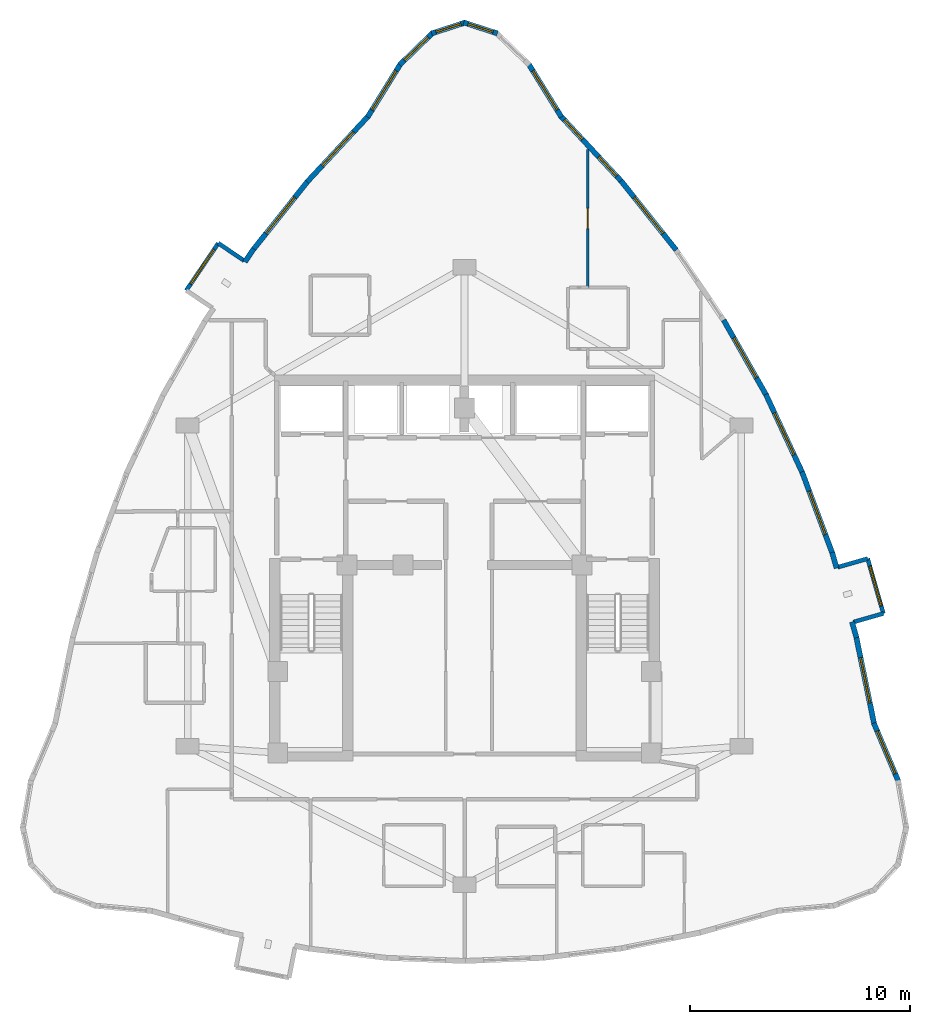
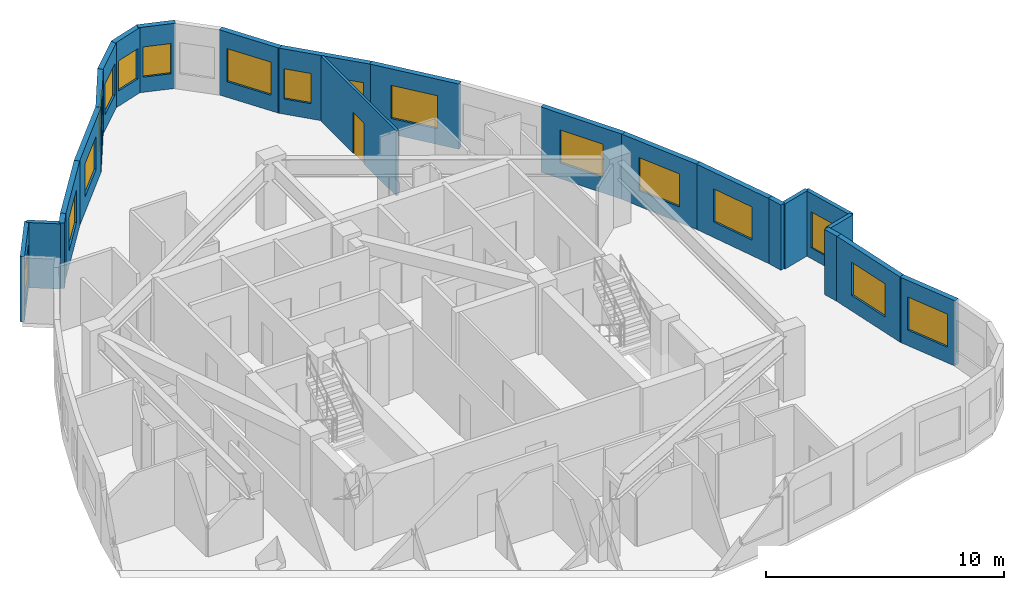
# One storey, part 11 of 13: 23 walls, 17 windows, 1 door, 18 openings.
"""IFC4 building model written with IfcOpenShell, lengths in metres."""

from ifc_helpers import new_model, si_unit, direction, frame, frame_2d, origin, place, context, subcontext, project, spatial, rectangle, extrude, material, layer, layer_set, type_object, element, fill, save


model = new_model("IFC4")

# Units and contexts
model_context = context("Model", 3, precision=1e-05, world=origin(), true_north=direction((0.0, 1.0)))
body_context = subcontext(model_context, "Body", "Model", "MODEL_VIEW")
ifc_project = project(units=[si_unit("LENGTHUNIT", "METRE"), si_unit("AREAUNIT", "SQUARE_METRE"), si_unit("VOLUMEUNIT", "CUBIC_METRE"), si_unit("PLANEANGLEUNIT", "RADIAN"), si_unit("MASSUNIT", "GRAM", prefix="KILO")], contexts=[model_context])

# Site, building, storey
site_placement = place(None, origin())
site = spatial("IfcSite", under=ifc_project, at=site_placement, CompositionType="ELEMENT")
building_placement = place(site_placement, origin())
building = spatial("IfcBuilding", under=site, at=building_placement, Name="Miruveldt Soraemaru", CompositionType="ELEMENT")
storey_placement = place(building_placement, frame((0.0, 0.0, 201.60009765625)))
storey = spatial("IfcBuildingStorey", under=building, at=storey_placement, Name="L55", CompositionType="ELEMENT", Elevation=201.60009765625)

# Wall
ifc_material_1 = material(Name="White powder-coated aluminium EN AW-6060 T6", Category="aluminium")
ifc_layer_1 = layer(ifc_material_1, 0.18994140625, Name="White powder-coated aluminium EN AW-6060 T6", Category="aluminium")
ifc_layer_set_1 = layer_set([ifc_layer_1], Name="White powder-coated aluminium EN AW-6060 T6")
wall_type_1 = type_object("IfcWallType", Name="WALL-BAY-ALU190", PredefinedType="SOLIDWALL", material=ifc_layer_set_1)
wall_1_placement = place(storey_placement, frame((33.971435546875, 57.900146484375, 0.0), z_axis=(0.0, 0.0, 1.0), x_axis=(-0.827916124573, 0.56085193293, 0.0)))
element("IfcWall", 1, at=wall_1_placement, inside=storey, type_object=wall_type_1, Name="L55 Bay Window Side Cheek 1L", PredefinedType="SOLIDWALL", context=body_context, shape_type="SweptSolid", body=[
    extrude(rectangle(XDim=1.42529296875, YDim=0.18994140625, at=frame_2d((0.712646484375, 0.0))), origin(), (0.0, 0.0, 1.0), 3.344970703125),
])

# Wall, opening, window
wall_2_placement = place(storey_placement, frame((32.79150390625, 58.699462890625, 0.0), z_axis=(0.0, 0.0, 1.0), x_axis=(-0.560839839126, -0.827924317102, 0.0)))
wall_2 = element("IfcWall", 2, at=wall_2_placement, inside=storey, type_object=wall_type_1, Name="L55 Bay Window Front Frame 1", PredefinedType="SOLIDWALL", context=body_context, shape_type="SweptSolid", body=[
    extrude(rectangle(XDim=2.599609375, YDim=0.18994140625, at=frame_2d((1.2998046875, 0.0))), origin(), (0.0, 0.0, 1.0), 3.344970703125),
])
opening_1_placement = place(wall_2_placement, frame((0.35009765625, 0.0, 0.550048828125)))
opening_1 = element("IfcOpeningElement", 3, at=opening_1_placement, cuts=wall_2, Name="Opening WN-6", PredefinedType="OPENING", context=body_context, shape_type="SweptSolid", body=[
    extrude(rectangle(XDim=1.89990234375, YDim=1.85009765625, at=frame_2d((0.949951171875, 0.925048828125))), frame((0.0, 0.10498046875, 0.0), z_axis=(0.0, -1.0, 0.0), x_axis=(1.0, 0.0, 0.0)), (0.0, 0.0, 1.0), 0.2099609375),
])
ifc_material_2 = material(Name="Triple low-e insulated glazing", Category="glass")
window_type_1 = type_object("IfcWindowType", Name="WIN-BAYW-1900x1850", PartitioningType="SINGLE_PANEL", PredefinedType="WINDOW", material=ifc_material_2)
window_1_placement = place(opening_1_placement, origin())
window_1 = element("IfcWindow", 4, at=window_1_placement, inside=storey, type_object=window_type_1, Name="L55 Projecting Bay Window 1", OverallHeight=1.85009765625, OverallWidth=1.89990234375, PartitioningType="SINGLE_PANEL", PredefinedType="WINDOW", context=body_context, shape_type="SweptSolid", body=[
    extrude(rectangle(XDim=1.89990234375, YDim=1.85009765625, at=frame_2d((0.949951171875, 0.925048828125))), frame((0.0, 0.030029296875, 0.0), z_axis=(0.0, -1.0, 0.0), x_axis=(1.0, 0.0, 0.0)), (0.0, 0.0, 1.0), 0.06005859375),
])
fill(opening_1, window_1)

# Walls
wall_3_placement = place(storey_placement, frame((61.69482421875, 41.451416015625, 0.0), z_axis=(0.0, 0.0, 1.0), x_axis=(0.961439844578, 0.275015318223, 0.0)))
element("IfcWall", 5, at=wall_3_placement, inside=storey, type_object=wall_type_1, Name="L55 Bay Window Side Cheek 3L", PredefinedType="SOLIDWALL", context=body_context, shape_type="SweptSolid", body=[
    extrude(rectangle(XDim=1.4248046875, YDim=0.18994140625, at=frame_2d((0.71240234375, 0.0))), origin(), (0.0, 0.0, 1.0), 3.344970703125),
])
wall_4_placement = place(storey_placement, frame((62.349853515625, 44.343017578125, 0.0), z_axis=(0.0, 0.0, 1.0), x_axis=(-0.961452801096, -0.274970018845, 0.0)))
element("IfcWall", 6, at=wall_4_placement, inside=storey, type_object=wall_type_1, Name="L55 Bay Window Side Cheek 3R", PredefinedType="SOLIDWALL", context=body_context, shape_type="SweptSolid", body=[
    extrude(rectangle(XDim=1.425048828125, YDim=0.18994140625, at=frame_2d((0.71240234375, 0.0))), origin(), (0.0, 0.0, 1.0), 3.344970703125),
])

# Wall, opening, window
wall_5_placement = place(storey_placement, frame((63.064697265625, 41.84326171875, 0.0), z_axis=(0.0, 0.0, 1.0), x_axis=(-0.274944358644, 0.961460139397, 0.0)))
wall_5 = element("IfcWall", 7, at=wall_5_placement, inside=storey, type_object=wall_type_1, Name="L55 Bay Window Front Frame 3", PredefinedType="SOLIDWALL", context=body_context, shape_type="SweptSolid", body=[
    extrude(rectangle(XDim=2.599853515625, YDim=0.18994140625, at=frame_2d((1.2998046875, 0.0))), origin(), (0.0, 0.0, 1.0), 3.344970703125),
])
opening_2_placement = place(wall_5_placement, frame((0.35009765625, 0.0, 0.550048828125)))
opening_2 = element("IfcOpeningElement", 8, at=opening_2_placement, cuts=wall_5, Name="Opening WN-6", PredefinedType="OPENING", context=body_context, shape_type="SweptSolid", body=[
    extrude(rectangle(XDim=1.89990234375, YDim=1.85009765625, at=frame_2d((0.949951171875, 0.925048828125))), frame((0.0, 0.10498046875, 0.0), z_axis=(0.0, -1.0, 0.0), x_axis=(1.0, 0.0, 0.0)), (0.0, 0.0, 1.0), 0.2099609375),
])
window_2_placement = place(opening_2_placement, origin())
window_2 = element("IfcWindow", 9, at=window_2_placement, inside=storey, type_object=window_type_1, Name="L55 Projecting Bay Window 3", OverallHeight=1.85009765625, OverallWidth=1.89990234375, PartitioningType="SINGLE_PANEL", PredefinedType="WINDOW", context=body_context, shape_type="SweptSolid", body=[
    extrude(rectangle(XDim=1.89990234375, YDim=1.85009765625, at=frame_2d((0.949951171875, 0.925048828125))), frame((0.0, 0.030029296875, 0.0), z_axis=(0.0, -1.0, 0.0), x_axis=(1.0, 0.0, 0.0)), (0.0, 0.0, 1.0), 0.06005859375),
])
fill(opening_2, window_2)

ifc_material_3 = material(Name="Precast concrete C45/55 (45 MPa)", Category="concrete")
ifc_layer_2 = layer(ifc_material_3, 0.239990234375, Name="Precast concrete C45/55 (45 MPa)", Category="concrete")
ifc_layer_set_2 = layer_set([ifc_layer_2], Name="Precast concrete C45/55 (45 MPa)")
wall_type_2 = type_object("IfcWallType", Name="WALL-EXT-PC240", PredefinedType="SOLIDWALL", material=ifc_layer_set_2)
wall_6_placement = place(storey_placement, frame((48.411376953125, 64.440185546875, 0.0), z_axis=(0.0, 0.0, 1.0), x_axis=(-0.526024676953, 0.850469305288, 0.0)))
wall_6 = element("IfcWall", 10, at=wall_6_placement, inside=storey, type_object=wall_type_2, Name="L55 Precast Concrete Facade Wall 1", PredefinedType="SOLIDWALL", context=body_context, shape_type="SweptSolid", body=[
    extrude(rectangle(XDim=2.853515625, YDim=0.239990234375, at=frame_2d((1.4267578125, 0.0))), origin(), (0.0, 0.0, 1.0), 3.344970703125),
])
opening_3_placement = place(wall_6_placement, frame((0.376953125, 0.0, 0.800048828125)))
opening_3 = element("IfcOpeningElement", 11, at=opening_3_placement, cuts=wall_6, Name="Opening WN-1", PredefinedType="OPENING", context=body_context, shape_type="SweptSolid", body=[
    extrude(rectangle(XDim=2.10009765625, YDim=1.699951171875, at=frame_2d((1.050048828125, 0.85009765625))), frame((0.0, 0.1298828125, 0.0), z_axis=(0.0, -1.0, 0.0), x_axis=(1.0, 0.0, 0.0)), (0.0, 0.0, 1.0), 0.260009765625),
])
window_type_2 = type_object("IfcWindowType", Name="WIN-PUNCH-2100x1700", PartitioningType="SINGLE_PANEL", PredefinedType="WINDOW", material=ifc_material_2)
window_3_placement = place(opening_3_placement, origin())
window_3 = element("IfcWindow", 12, at=window_3_placement, inside=storey, type_object=window_type_2, Name="L55 Punched Triple-Glazed Window 01.1", OverallHeight=1.699951171875, OverallWidth=2.10009765625, PartitioningType="SINGLE_PANEL", PredefinedType="WINDOW", context=body_context, shape_type="SweptSolid", body=[
    extrude(rectangle(XDim=2.10009765625, YDim=1.699951171875, at=frame_2d((1.050048828125, 0.85009765625))), frame((0.0, 0.030029296875, 0.0), z_axis=(0.0, -1.0, 0.0), x_axis=(1.0, 0.0, 0.0)), (0.0, 0.0, 1.0), 0.06005859375),
])
fill(opening_3, window_3)

wall_7_placement = place(storey_placement, frame((45.49755859375, 68.246826171875, 0.0), z_axis=(0.0, 0.0, 1.0), x_axis=(-0.951512470803, 0.307610171981, 0.0)))
wall_7 = element("IfcWall", 13, at=wall_7_placement, inside=storey, type_object=wall_type_2, Name="L55 Precast Concrete Facade Wall 3", PredefinedType="SOLIDWALL", context=body_context, shape_type="SweptSolid", body=[
    extrude(rectangle(XDim=1.60888671875, YDim=0.239990234375, at=frame_2d((0.804443359375, 0.0))), origin(), (0.0, 0.0, 1.0), 3.344970703125),
])
opening_4_placement = place(wall_7_placement, frame((0.205078125, 0.0, 0.780029296875)))
opening_4 = element("IfcOpeningElement", 14, at=opening_4_placement, cuts=wall_7, Name="Opening WN-4", PredefinedType="OPENING", context=body_context, shape_type="SweptSolid", body=[
    extrude(rectangle(XDim=1.199951171875, YDim=1.550048828125, at=frame_2d((0.60009765625, 0.77490234375))), frame((0.0, 0.1298828125, 0.0), z_axis=(0.0, -1.0, 0.0), x_axis=(1.0, 0.0, 0.0)), (0.0, 0.0, 1.0), 0.260009765625),
])
window_type_3 = type_object("IfcWindowType", Name="WIN-PUNCH-1200x1550", PartitioningType="SINGLE_PANEL", PredefinedType="WINDOW", material=ifc_material_2)
window_4_placement = place(opening_4_placement, origin())
window_4 = element("IfcWindow", 15, at=window_4_placement, inside=storey, type_object=window_type_3, Name="L55 Punched Triple-Glazed Window 03.1", OverallHeight=1.550048828125, OverallWidth=1.199951171875, PartitioningType="SINGLE_PANEL", PredefinedType="WINDOW", context=body_context, shape_type="SweptSolid", body=[
    extrude(rectangle(XDim=1.199951171875, YDim=1.550048828125, at=frame_2d((0.60009765625, 0.77490234375))), frame((0.0, 0.030029296875, 0.0), z_axis=(0.0, -1.0, 0.0), x_axis=(1.0, 0.0, 0.0)), (0.0, 0.0, 1.0), 0.06005859375),
])
fill(opening_4, window_4)

wall_8_placement = place(storey_placement, frame((44.033203125, 68.74169921875, 0.0), z_axis=(0.0, 0.0, 1.0), x_axis=(-0.951512470803, -0.307610171981, 0.0)))
wall_8 = element("IfcWall", 16, at=wall_8_placement, inside=storey, type_object=wall_type_2, Name="L55 Precast Concrete Facade Wall 4", PredefinedType="SOLIDWALL", context=body_context, shape_type="SweptSolid", body=[
    extrude(rectangle(XDim=1.60888671875, YDim=0.239990234375, at=frame_2d((0.804443359375, 0.0))), origin(), (0.0, 0.0, 1.0), 3.344970703125),
])
opening_5_placement = place(wall_8_placement, frame((0.205078125, 0.0, 0.780029296875)))
opening_5 = element("IfcOpeningElement", 17, at=opening_5_placement, cuts=wall_8, Name="Opening WN-4", PredefinedType="OPENING", context=body_context, shape_type="SweptSolid", body=[
    extrude(rectangle(XDim=1.199951171875, YDim=1.550048828125, at=frame_2d((0.60009765625, 0.77490234375))), frame((0.0, 0.1298828125, 0.0), z_axis=(0.0, -1.0, 0.0), x_axis=(1.0, 0.0, 0.0)), (0.0, 0.0, 1.0), 0.260009765625),
])
window_5_placement = place(opening_5_placement, origin())
window_5 = element("IfcWindow", 18, at=window_5_placement, inside=storey, type_object=window_type_3, Name="L55 Punched Triple-Glazed Window 04.1", OverallHeight=1.550048828125, OverallWidth=1.199951171875, PartitioningType="SINGLE_PANEL", PredefinedType="WINDOW", context=body_context, shape_type="SweptSolid", body=[
    extrude(rectangle(XDim=1.199951171875, YDim=1.550048828125, at=frame_2d((0.60009765625, 0.77490234375))), frame((0.0, 0.030029296875, 0.0), z_axis=(0.0, -1.0, 0.0), x_axis=(1.0, 0.0, 0.0)), (0.0, 0.0, 1.0), 0.06005859375),
])
fill(opening_5, window_5)

wall_9_placement = place(storey_placement, frame((42.560791015625, 68.281982421875, 0.0), z_axis=(0.0, 0.0, 1.0), x_axis=(-0.717784741211, -0.696265082626, 0.0)))
wall_9 = element("IfcWall", 19, at=wall_9_placement, inside=storey, type_object=wall_type_2, Name="L55 Precast Concrete Facade Wall 5", PredefinedType="SOLIDWALL", context=body_context, shape_type="SweptSolid", body=[
    extrude(rectangle(XDim=2.110107421875, YDim=0.239990234375, at=frame_2d((1.05517578125, 0.0))), origin(), (0.0, 0.0, 1.0), 3.344970703125),
])
opening_6_placement = place(wall_9_placement, frame((0.304931640625, 0.0, 0.800048828125)))
opening_6 = element("IfcOpeningElement", 20, at=opening_6_placement, cuts=wall_9, Name="Opening WN-3", PredefinedType="OPENING", context=body_context, shape_type="SweptSolid", body=[
    extrude(rectangle(XDim=1.5, YDim=1.60009765625, at=frame_2d((0.75, 0.800048828125))), frame((0.0, 0.1298828125, 0.0), z_axis=(0.0, -1.0, 0.0), x_axis=(1.0, 0.0, 0.0)), (0.0, 0.0, 1.0), 0.260009765625),
])
window_type_4 = type_object("IfcWindowType", Name="WIN-PUNCH-1500x1600", PartitioningType="SINGLE_PANEL", PredefinedType="WINDOW", material=ifc_material_2)
window_6_placement = place(opening_6_placement, origin())
window_6 = element("IfcWindow", 21, at=window_6_placement, inside=storey, type_object=window_type_4, Name="L55 Punched Triple-Glazed Window 05.1", OverallHeight=1.60009765625, OverallWidth=1.5, PartitioningType="SINGLE_PANEL", PredefinedType="WINDOW", context=body_context, shape_type="SweptSolid", body=[
    extrude(rectangle(XDim=1.5, YDim=1.60009765625, at=frame_2d((0.75, 0.800048828125))), frame((0.0, 0.030029296875, 0.0), z_axis=(0.0, -1.0, 0.0), x_axis=(1.0, 0.0, 0.0)), (0.0, 0.0, 1.0), 0.06005859375),
])
fill(opening_6, window_6)

wall_10_placement = place(storey_placement, frame((41.089599609375, 66.866943359375, 0.0), z_axis=(0.0, 0.0, 1.0), x_axis=(-0.526024676953, -0.850469305288, 0.0)))
wall_10 = element("IfcWall", 22, at=wall_10_placement, inside=storey, type_object=wall_type_2, Name="L55 Precast Concrete Facade Wall 6", PredefinedType="SOLIDWALL", context=body_context, shape_type="SweptSolid", body=[
    extrude(rectangle(XDim=2.853515625, YDim=0.239990234375, at=frame_2d((1.4267578125, 0.0))), origin(), (0.0, 0.0, 1.0), 3.344970703125),
])
opening_7_placement = place(wall_10_placement, frame((0.376953125, 0.0, 0.800048828125)))
opening_7 = element("IfcOpeningElement", 23, at=opening_7_placement, cuts=wall_10, Name="Opening WN-1", PredefinedType="OPENING", context=body_context, shape_type="SweptSolid", body=[
    extrude(rectangle(XDim=2.10009765625, YDim=1.699951171875, at=frame_2d((1.050048828125, 0.85009765625))), frame((0.0, 0.1298828125, 0.0), z_axis=(0.0, -1.0, 0.0), x_axis=(1.0, 0.0, 0.0)), (0.0, 0.0, 1.0), 0.260009765625),
])
window_7_placement = place(opening_7_placement, origin())
window_7 = element("IfcWindow", 24, at=window_7_placement, inside=storey, type_object=window_type_2, Name="L55 Punched Triple-Glazed Window 06.1", OverallHeight=1.699951171875, OverallWidth=2.10009765625, PartitioningType="SINGLE_PANEL", PredefinedType="WINDOW", context=body_context, shape_type="SweptSolid", body=[
    extrude(rectangle(XDim=2.10009765625, YDim=1.699951171875, at=frame_2d((1.050048828125, 0.85009765625))), frame((0.0, 0.030029296875, 0.0), z_axis=(0.0, -1.0, 0.0), x_axis=(1.0, 0.0, 0.0)), (0.0, 0.0, 1.0), 0.06005859375),
])
fill(opening_7, window_7)

wall_11_placement = place(storey_placement, frame((39.630859375, 64.49560546875, 0.0), z_axis=(0.0, 0.0, 1.0), x_axis=(-0.68089787868, -0.732378371341, 0.0)))
wall_11 = element("IfcWall", 25, at=wall_11_placement, inside=storey, type_object=wall_type_2, Name="L55 Precast Concrete Facade Wall 7", PredefinedType="SOLIDWALL", context=body_context, shape_type="SweptSolid", body=[
    extrude(rectangle(XDim=4.10693359375, YDim=0.239990234375, at=frame_2d((2.053466796875, 0.0))), origin(), (0.0, 0.0, 1.0), 3.344970703125),
])
opening_8_placement = place(wall_11_placement, frame((1.00390625, 0.0, 0.800048828125)))
opening_8 = element("IfcOpeningElement", 26, at=opening_8_placement, cuts=wall_11, Name="Opening WN-1", PredefinedType="OPENING", context=body_context, shape_type="SweptSolid", body=[
    extrude(rectangle(XDim=2.10009765625, YDim=1.699951171875, at=frame_2d((1.050048828125, 0.85009765625))), frame((0.0, 0.1298828125, 0.0), z_axis=(0.0, -1.0, 0.0), x_axis=(1.0, 0.0, 0.0)), (0.0, 0.0, 1.0), 0.260009765625),
])
window_8_placement = place(opening_8_placement, origin())
window_8 = element("IfcWindow", 27, at=window_8_placement, inside=storey, type_object=window_type_2, Name="L55 Punched Triple-Glazed Window 07.1", OverallHeight=1.699951171875, OverallWidth=2.10009765625, PartitioningType="SINGLE_PANEL", PredefinedType="WINDOW", context=body_context, shape_type="SweptSolid", body=[
    extrude(rectangle(XDim=2.10009765625, YDim=1.699951171875, at=frame_2d((1.050048828125, 0.85009765625))), frame((0.0, 0.030029296875, 0.0), z_axis=(0.0, -1.0, 0.0), x_axis=(1.0, 0.0, 0.0)), (0.0, 0.0, 1.0), 0.06005859375),
])
fill(opening_8, window_8)

wall_12_placement = place(storey_placement, frame((36.8798828125, 61.540771484375, 0.0), z_axis=(0.0, 0.0, 1.0), x_axis=(-0.623580098118, -0.781759465073, 0.0)))
wall_12 = element("IfcWall", 28, at=wall_12_placement, inside=storey, type_object=wall_type_2, Name="L55 Precast Concrete Facade Wall 8", PredefinedType="SOLIDWALL", context=body_context, shape_type="SweptSolid", body=[
    extrude(rectangle(XDim=4.03466796875, YDim=0.239990234375, at=frame_2d((2.017333984375, 0.0))), origin(), (0.0, 0.0, 1.0), 3.344970703125),
])
opening_9_placement = place(wall_12_placement, frame((0.968017578125, 0.0, 0.800048828125)))
opening_9 = element("IfcOpeningElement", 29, at=opening_9_placement, cuts=wall_12, Name="Opening WN-1", PredefinedType="OPENING", context=body_context, shape_type="SweptSolid", body=[
    extrude(rectangle(XDim=2.10009765625, YDim=1.699951171875, at=frame_2d((1.050048828125, 0.85009765625))), frame((0.0, 0.1298828125, 0.0), z_axis=(0.0, -1.0, 0.0), x_axis=(1.0, 0.0, 0.0)), (0.0, 0.0, 1.0), 0.260009765625),
])
window_9_placement = place(opening_9_placement, origin())
window_9 = element("IfcWindow", 30, at=window_9_placement, inside=storey, type_object=window_type_2, Name="L55 Punched Triple-Glazed Window 08.1", OverallHeight=1.699951171875, OverallWidth=2.10009765625, PartitioningType="SINGLE_PANEL", PredefinedType="WINDOW", context=body_context, shape_type="SweptSolid", body=[
    extrude(rectangle(XDim=2.10009765625, YDim=1.699951171875, at=frame_2d((1.050048828125, 0.85009765625))), frame((0.0, 0.030029296875, 0.0), z_axis=(0.0, -1.0, 0.0), x_axis=(1.0, 0.0, 0.0)), (0.0, 0.0, 1.0), 0.06005859375),
])
fill(opening_9, window_9)

# Wall
wall_13_placement = place(storey_placement, frame((34.405517578125, 58.443115234375, 0.0), z_axis=(0.0, 0.0, 1.0), x_axis=(-0.560840679223, -0.827923748016, 0.0)))
element("IfcWall", 31, at=wall_13_placement, inside=storey, type_object=wall_type_2, Name="L55 Precast Pier Wall 9A", PredefinedType="SOLIDWALL", context=body_context, shape_type="SweptSolid", body=[
    extrude(rectangle(XDim=0.72314453125, YDim=0.239990234375, at=frame_2d((0.361572265625, 0.0))), origin(), (0.0, 0.0, 1.0), 3.344970703125),
])

# Wall, opening, window
wall_14_placement = place(storey_placement, frame((63.755126953125, 34.18994140625, 0.0), z_axis=(0.0, 0.0, 1.0), x_axis=(-0.38865241966, 0.921384445654, 0.0)))
wall_14 = element("IfcWall", 32, at=wall_14_placement, inside=storey, type_object=wall_type_2, Name="L55 Precast Concrete Facade Wall 34", PredefinedType="SOLIDWALL", context=body_context, shape_type="SweptSolid", body=[
    extrude(rectangle(XDim=2.895751953125, YDim=0.239990234375, at=frame_2d((1.44775390625, 0.0))), origin(), (0.0, 0.0, 1.0), 3.344970703125),
])
opening_10_placement = place(wall_14_placement, frame((0.39794921875, 0.0, 0.800048828125)))
opening_10 = element("IfcOpeningElement", 33, at=opening_10_placement, cuts=wall_14, Name="Opening WN-1", PredefinedType="OPENING", context=body_context, shape_type="SweptSolid", body=[
    extrude(rectangle(XDim=2.10009765625, YDim=1.699951171875, at=frame_2d((1.050048828125, 0.85009765625))), frame((0.0, 0.1298828125, 0.0), z_axis=(0.0, -1.0, 0.0), x_axis=(1.0, 0.0, 0.0)), (0.0, 0.0, 1.0), 0.260009765625),
])
window_10_placement = place(opening_10_placement, origin())
window_10 = element("IfcWindow", 34, at=window_10_placement, inside=storey, type_object=window_type_2, Name="L55 Punched Triple-Glazed Window 34.1", OverallHeight=1.699951171875, OverallWidth=2.10009765625, PartitioningType="SINGLE_PANEL", PredefinedType="WINDOW", context=body_context, shape_type="SweptSolid", body=[
    extrude(rectangle(XDim=2.10009765625, YDim=1.699951171875, at=frame_2d((1.050048828125, 0.85009765625))), frame((0.0, 0.030029296875, 0.0), z_axis=(0.0, -1.0, 0.0), x_axis=(1.0, 0.0, 0.0)), (0.0, 0.0, 1.0), 0.06005859375),
])
fill(opening_10, window_10)

wall_15_placement = place(storey_placement, frame((62.650390625, 36.791748046875, 0.0), z_axis=(0.0, 0.0, 1.0), x_axis=(-0.2015657063, 0.979474995109, 0.0)))
wall_15 = element("IfcWall", 35, at=wall_15_placement, inside=storey, type_object=wall_type_2, Name="L55 Precast Concrete Facade Wall 35", PredefinedType="SOLIDWALL", context=body_context, shape_type="SweptSolid", body=[
    extrude(rectangle(XDim=4.107177734375, YDim=0.239990234375, at=frame_2d((2.0537109375, 0.0))), origin(), (0.0, 0.0, 1.0), 3.344970703125),
])
opening_11_placement = place(wall_15_placement, frame((1.00390625, 0.0, 0.800048828125)))
opening_11 = element("IfcOpeningElement", 36, at=opening_11_placement, cuts=wall_15, Name="Opening WN-1", PredefinedType="OPENING", context=body_context, shape_type="SweptSolid", body=[
    extrude(rectangle(XDim=2.10009765625, YDim=1.699951171875, at=frame_2d((1.050048828125, 0.85009765625))), frame((0.0, 0.1298828125, 0.0), z_axis=(0.0, -1.0, 0.0), x_axis=(1.0, 0.0, 0.0)), (0.0, 0.0, 1.0), 0.260009765625),
])
window_11_placement = place(opening_11_placement, origin())
window_11 = element("IfcWindow", 37, at=window_11_placement, inside=storey, type_object=window_type_2, Name="L55 Punched Triple-Glazed Window 35.1", OverallHeight=1.699951171875, OverallWidth=2.10009765625, PartitioningType="SINGLE_PANEL", PredefinedType="WINDOW", context=body_context, shape_type="SweptSolid", body=[
    extrude(rectangle(XDim=2.10009765625, YDim=1.699951171875, at=frame_2d((1.050048828125, 0.85009765625))), frame((0.0, 0.030029296875, 0.0), z_axis=(0.0, -1.0, 0.0), x_axis=(1.0, 0.0, 0.0)), (0.0, 0.0, 1.0), 0.06005859375),
])
fill(opening_11, window_11)

# Walls
for number, where, z_axis, x_axis, name in (
    (38, (61.839111328125, 40.74658203125, 0.0), (0.0, 0.0, 1.0), (-0.274764278182, 0.961511617941, 0.0), "L55 Precast Pier Wall 36A"),
    (39, (60.93505859375, 43.9072265625, 0.0), (0.0, 0.0, 1.0), (-0.274764278182, 0.961511617941, 0.0), "L55 Precast Pier Wall 36B"),
):
    element("IfcWall", number, at=place(storey_placement, frame(where, z_axis=z_axis, x_axis=x_axis)), inside=storey, type_object=wall_type_2, Name=name, PredefinedType="SOLIDWALL", context=body_context, shape_type="SweptSolid", body=[
        extrude(rectangle(XDim=0.747314453125, YDim=0.239990234375, at=frame_2d((0.37353515625, 0.0))), origin(), (0.0, 0.0, 1.0), 3.344970703125),
    ])

# Wall, opening, window
wall_16_placement = place(storey_placement, frame((60.75146484375, 44.55908203125, 0.0), z_axis=(0.0, 0.0, 1.0), x_axis=(-0.348967690972, 0.937134755869, 0.0)))
wall_16 = element("IfcWall", 40, at=wall_16_placement, inside=storey, type_object=wall_type_2, Name="L55 Precast Concrete Facade Wall 37", PredefinedType="SOLIDWALL", context=body_context, shape_type="SweptSolid", body=[
    extrude(rectangle(XDim=3.985595703125, YDim=0.239990234375, at=frame_2d((1.99267578125, 0.0))), origin(), (0.0, 0.0, 1.0), 3.344970703125),
])
opening_12_placement = place(wall_16_placement, frame((0.943115234375, 0.0, 0.800048828125)))
opening_12 = element("IfcOpeningElement", 41, at=opening_12_placement, cuts=wall_16, Name="Opening WN-1", PredefinedType="OPENING", context=body_context, shape_type="SweptSolid", body=[
    extrude(rectangle(XDim=2.10009765625, YDim=1.699951171875, at=frame_2d((1.050048828125, 0.85009765625))), frame((0.0, 0.1298828125, 0.0), z_axis=(0.0, -1.0, 0.0), x_axis=(1.0, 0.0, 0.0)), (0.0, 0.0, 1.0), 0.260009765625),
])
window_12_placement = place(opening_12_placement, origin())
window_12 = element("IfcWindow", 42, at=window_12_placement, inside=storey, type_object=window_type_2, Name="L55 Punched Triple-Glazed Window 37.1", OverallHeight=1.699951171875, OverallWidth=2.10009765625, PartitioningType="SINGLE_PANEL", PredefinedType="WINDOW", context=body_context, shape_type="SweptSolid", body=[
    extrude(rectangle(XDim=2.10009765625, YDim=1.699951171875, at=frame_2d((1.050048828125, 0.85009765625))), frame((0.0, 0.030029296875, 0.0), z_axis=(0.0, -1.0, 0.0), x_axis=(1.0, 0.0, 0.0)), (0.0, 0.0, 1.0), 0.06005859375),
])
fill(opening_12, window_12)

wall_17_placement = place(storey_placement, frame((59.387451171875, 48.2294921875, 0.0), z_axis=(0.0, 0.0, 1.0), x_axis=(-0.422311701836, 0.906450675157, 0.0)))
wall_17 = element("IfcWall", 43, at=wall_17_placement, inside=storey, type_object=wall_type_2, Name="L55 Precast Concrete Facade Wall 38", PredefinedType="SOLIDWALL", context=body_context, shape_type="SweptSolid", body=[
    extrude(rectangle(XDim=3.960693359375, YDim=0.239990234375, at=frame_2d((1.98046875, 0.0))), origin(), (0.0, 0.0, 1.0), 3.344970703125),
])
opening_13_placement = place(wall_17_placement, frame((0.930908203125, 0.0, 0.800048828125)))
opening_13 = element("IfcOpeningElement", 44, at=opening_13_placement, cuts=wall_17, Name="Opening WN-1", PredefinedType="OPENING", context=body_context, shape_type="SweptSolid", body=[
    extrude(rectangle(XDim=2.10009765625, YDim=1.699951171875, at=frame_2d((1.050048828125, 0.85009765625))), frame((0.0, 0.1298828125, 0.0), z_axis=(0.0, -1.0, 0.0), x_axis=(1.0, 0.0, 0.0)), (0.0, 0.0, 1.0), 0.260009765625),
])
window_13_placement = place(opening_13_placement, origin())
window_13 = element("IfcWindow", 45, at=window_13_placement, inside=storey, type_object=window_type_2, Name="L55 Punched Triple-Glazed Window 38.1", OverallHeight=1.699951171875, OverallWidth=2.10009765625, PartitioningType="SINGLE_PANEL", PredefinedType="WINDOW", context=body_context, shape_type="SweptSolid", body=[
    extrude(rectangle(XDim=2.10009765625, YDim=1.699951171875, at=frame_2d((1.050048828125, 0.85009765625))), frame((0.0, 0.030029296875, 0.0), z_axis=(0.0, -1.0, 0.0), x_axis=(1.0, 0.0, 0.0)), (0.0, 0.0, 1.0), 0.06005859375),
])
fill(opening_13, window_13)

wall_18_placement = place(storey_placement, frame((57.7470703125, 51.757568359375, 0.0), z_axis=(0.0, 0.0, 1.0), x_axis=(-0.493374910117, 0.869816761202, 0.0)))
wall_18 = element("IfcWall", 46, at=wall_18_placement, inside=storey, type_object=wall_type_2, Name="L55 Precast Concrete Facade Wall 39", PredefinedType="SOLIDWALL", context=body_context, shape_type="SweptSolid", body=[
    extrude(rectangle(XDim=3.960693359375, YDim=0.239990234375, at=frame_2d((1.98046875, 0.0))), origin(), (0.0, 0.0, 1.0), 3.344970703125),
])
opening_14_placement = place(wall_18_placement, frame((0.930908203125, 0.0, 0.800048828125)))
opening_14 = element("IfcOpeningElement", 47, at=opening_14_placement, cuts=wall_18, Name="Opening WN-1", PredefinedType="OPENING", context=body_context, shape_type="SweptSolid", body=[
    extrude(rectangle(XDim=2.10009765625, YDim=1.699951171875, at=frame_2d((1.050048828125, 0.85009765625))), frame((0.0, 0.1298828125, 0.0), z_axis=(0.0, -1.0, 0.0), x_axis=(1.0, 0.0, 0.0)), (0.0, 0.0, 1.0), 0.260009765625),
])
window_14_placement = place(opening_14_placement, origin())
window_14 = element("IfcWindow", 48, at=window_14_placement, inside=storey, type_object=window_type_2, Name="L55 Punched Triple-Glazed Window 39.1", OverallHeight=1.699951171875, OverallWidth=2.10009765625, PartitioningType="SINGLE_PANEL", PredefinedType="WINDOW", context=body_context, shape_type="SweptSolid", body=[
    extrude(rectangle(XDim=2.10009765625, YDim=1.699951171875, at=frame_2d((1.050048828125, 0.85009765625))), frame((0.0, 0.030029296875, 0.0), z_axis=(0.0, -1.0, 0.0), x_axis=(1.0, 0.0, 0.0)), (0.0, 0.0, 1.0), 0.06005859375),
])
fill(opening_14, window_14)

wall_19_placement = place(storey_placement, frame((53.635986328125, 58.38671875, 0.0), z_axis=(0.0, 0.0, 1.0), x_axis=(-0.623580098118, 0.781759465073, 0.0)))
wall_19 = element("IfcWall", 49, at=wall_19_placement, inside=storey, type_object=wall_type_2, Name="L55 Precast Concrete Facade Wall 41", PredefinedType="SOLIDWALL", context=body_context, shape_type="SweptSolid", body=[
    extrude(rectangle(XDim=4.03466796875, YDim=0.239990234375, at=frame_2d((2.017333984375, 0.0))), origin(), (0.0, 0.0, 1.0), 3.344970703125),
])
opening_15_placement = place(wall_19_placement, frame((0.968017578125, 0.0, 0.800048828125)))
opening_15 = element("IfcOpeningElement", 50, at=opening_15_placement, cuts=wall_19, Name="Opening WN-1", PredefinedType="OPENING", context=body_context, shape_type="SweptSolid", body=[
    extrude(rectangle(XDim=2.10009765625, YDim=1.699951171875, at=frame_2d((1.050048828125, 0.85009765625))), frame((0.0, 0.1298828125, 0.0), z_axis=(0.0, -1.0, 0.0), x_axis=(1.0, 0.0, 0.0)), (0.0, 0.0, 1.0), 0.260009765625),
])
window_15_placement = place(opening_15_placement, origin())
window_15 = element("IfcWindow", 51, at=window_15_placement, inside=storey, type_object=window_type_2, Name="L55 Punched Triple-Glazed Window 41.1", OverallHeight=1.699951171875, OverallWidth=2.10009765625, PartitioningType="SINGLE_PANEL", PredefinedType="WINDOW", context=body_context, shape_type="SweptSolid", body=[
    extrude(rectangle(XDim=2.10009765625, YDim=1.699951171875, at=frame_2d((1.050048828125, 0.85009765625))), frame((0.0, 0.030029296875, 0.0), z_axis=(0.0, -1.0, 0.0), x_axis=(1.0, 0.0, 0.0)), (0.0, 0.0, 1.0), 0.06005859375),
])
fill(opening_15, window_15)

# Wall, openings, windows
wall_20_placement = place(storey_placement, frame((51.16552734375, 61.48779296875, 0.0), z_axis=(0.0, 0.0, 1.0), x_axis=(-0.68089787868, 0.732378371341, 0.0)))
wall_20 = element("IfcWall", 52, at=wall_20_placement, inside=storey, type_object=wall_type_2, Name="L55 Precast Concrete Facade Wall 42", PredefinedType="SOLIDWALL", context=body_context, shape_type="SweptSolid", body=[
    extrude(rectangle(XDim=4.10693359375, YDim=0.239990234375, at=frame_2d((2.053466796875, 0.0))), origin(), (0.0, 0.0, 1.0), 3.344970703125),
])
opening_16_placement = place(wall_20_placement, frame((0.35498046875, 0.0, 0.780029296875)))
opening_16 = element("IfcOpeningElement", 53, at=opening_16_placement, cuts=wall_20, Name="Opening WN-4", PredefinedType="OPENING", context=body_context, shape_type="SweptSolid", body=[
    extrude(rectangle(XDim=1.199951171875, YDim=1.550048828125, at=frame_2d((0.60009765625, 0.77490234375))), frame((0.0, 0.1298828125, 0.0), z_axis=(0.0, -1.0, 0.0), x_axis=(1.0, 0.0, 0.0)), (0.0, 0.0, 1.0), 0.260009765625),
])
opening_17_placement = place(wall_20_placement, frame((2.64794921875, 0.0, 0.780029296875)))
opening_17 = element("IfcOpeningElement", 54, at=opening_17_placement, cuts=wall_20, Name="Opening WN-4", PredefinedType="OPENING", context=body_context, shape_type="SweptSolid", body=[
    extrude(rectangle(XDim=1.199951171875, YDim=1.550048828125, at=frame_2d((0.60009765625, 0.77490234375))), frame((0.0, 0.1298828125, 0.0), z_axis=(0.0, -1.0, 0.0), x_axis=(1.0, 0.0, 0.0)), (0.0, 0.0, 1.0), 0.260009765625),
])
window_16_placement = place(opening_16_placement, origin())
window_16 = element("IfcWindow", 55, at=window_16_placement, inside=storey, type_object=window_type_3, Name="L55 Punched Triple-Glazed Window 42.1", OverallHeight=1.550048828125, OverallWidth=1.199951171875, PartitioningType="SINGLE_PANEL", PredefinedType="WINDOW", context=body_context, shape_type="SweptSolid", body=[
    extrude(rectangle(XDim=1.199951171875, YDim=1.550048828125, at=frame_2d((0.60009765625, 0.77490234375))), frame((0.0, 0.030029296875, 0.0), z_axis=(0.0, -1.0, 0.0), x_axis=(1.0, 0.0, 0.0)), (0.0, 0.0, 1.0), 0.06005859375),
])
fill(opening_16, window_16)
window_17_placement = place(opening_17_placement, origin())
window_17 = element("IfcWindow", 56, at=window_17_placement, inside=storey, type_object=window_type_3, Name="L55 Punched Triple-Glazed Window 42.2", OverallHeight=1.550048828125, OverallWidth=1.199951171875, PartitioningType="SINGLE_PANEL", PredefinedType="WINDOW", context=body_context, shape_type="SweptSolid", body=[
    extrude(rectangle(XDim=1.199951171875, YDim=1.550048828125, at=frame_2d((0.60009765625, 0.77490234375))), frame((0.0, 0.030029296875, 0.0), z_axis=(0.0, -1.0, 0.0), x_axis=(1.0, 0.0, 0.0)), (0.0, 0.0, 1.0), 0.06005859375),
])
fill(opening_17, window_17)

# Wall, opening, door
ifc_material_4 = material(Name="Gypsum plasterboard lining", Category="gypsum")
ifc_layer_3 = layer(ifc_material_4, 0.1201171875, Name="Gypsum plasterboard lining", Category="gypsum")
ifc_layer_set_3 = layer_set([ifc_layer_3], Name="Gypsum plasterboard lining")
wall_type_3 = type_object("IfcWallType", Name="WALL-INT-P120", PredefinedType="PARTITIONING", material=ifc_layer_set_3)
wall_21_placement = place(storey_placement, frame((49.60302734375, 56.679931640625, 0.0), z_axis=(0.0, 0.0, 1.0), x_axis=(0.0, 1.0, 0.0)))
wall_21 = element("IfcWall", 57, at=wall_21_placement, inside=storey, type_object=wall_type_3, Name="L55 Partition Wall 20", PredefinedType="PARTITIONING", context=body_context, shape_type="SweptSolid", body=[
    extrude(rectangle(XDim=6.2900390625, YDim=0.1201171875, at=frame_2d((3.14501953125, 0.0))), origin(), (0.0, 0.0, 1.0), 3.344970703125),
])
opening_18_placement = place(wall_21_placement, frame((2.68505859375, 0.0, 0.0)))
opening_18 = element("IfcOpeningElement", 58, at=opening_18_placement, cuts=wall_21, Name="Opening D3A", PredefinedType="OPENING", context=body_context, shape_type="SweptSolid", body=[
    extrude(rectangle(XDim=0.919921875, YDim=2.10009765625, at=frame_2d((0.4599609375, 1.050048828125))), frame((0.0, 0.070068359375, 0.0), z_axis=(0.0, -1.0, 0.0), x_axis=(1.0, 0.0, 0.0)), (0.0, 0.0, 1.0), 0.14013671875),
])
ifc_material_5 = material(Name="Anodised aluminium EN AW-6063 T6", Category="aluminium")
door_type = type_object("IfcDoorType", Name="DOOR-INT-920", OperationType="NOTDEFINED", PredefinedType="DOOR", material=ifc_material_5)
door_placement = place(opening_18_placement, origin())
door = element("IfcDoor", 59, at=door_placement, inside=storey, type_object=door_type, Name="L55 Unit 5501 BD1 Door", OperationType="SINGLE_SWING_RIGHT", OverallHeight=2.10009765625, OverallWidth=0.919921875, PredefinedType="DOOR", context=body_context, shape_type="SweptSolid", body=[
    extrude(rectangle(XDim=0.919921875, YDim=2.10009765625, at=frame_2d((0.4599609375, 1.050048828125))), frame((0.0, 0.02490234375, 0.0), z_axis=(0.0, -1.0, 0.0), x_axis=(1.0, 0.0, 0.0)), (0.0, 0.0, 1.0), 0.050048828125),
])
fill(opening_18, door)

save(model, "model.ifc")
